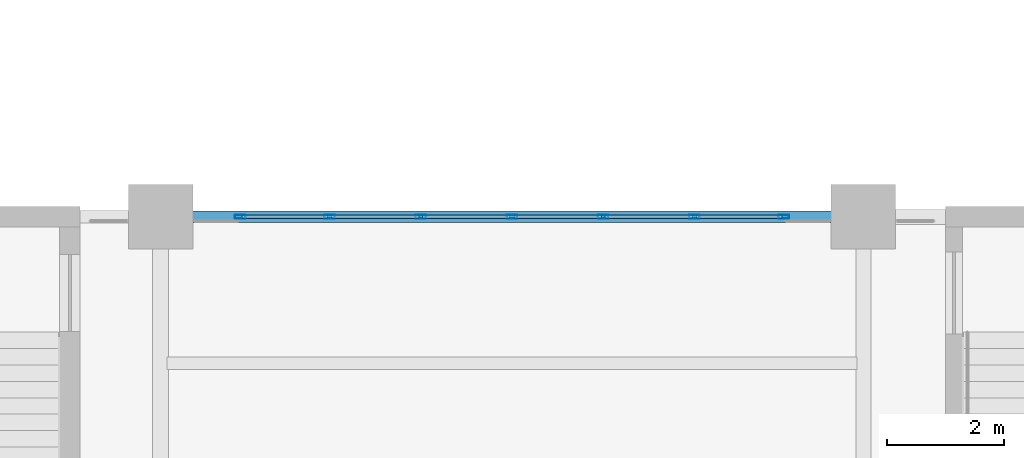
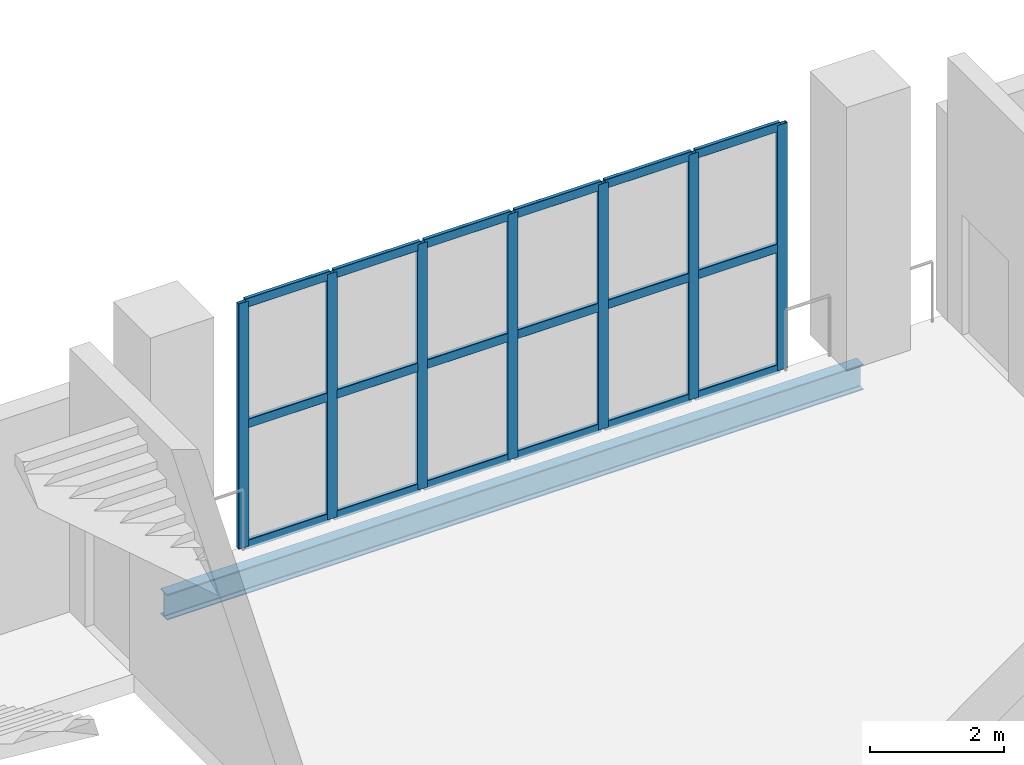
# One storey, part 88 of 136: 25 members, 1 beam, 1 element without a shape of its own.
"""IFC4 building model written with IfcOpenShell, lengths in metres."""

from ifc_helpers import new_model, si_unit, direction, frame, origin, origin_2d, place, context, subcontext, project, spatial, hollow_rectangle, i_section, extrude, material, layer, layer_set, material_profile, profile_set, type_object, element, aggregate, save


model = new_model("IFC4")

# Units and contexts
model_context = context("Model", 3, precision=1e-05, world=origin(), true_north=direction((0.0, 1.0)))
body_context = subcontext(model_context, "Body", "Model", "MODEL_VIEW")
ifc_project = project(units=[si_unit("LENGTHUNIT", "METRE"), si_unit("AREAUNIT", "SQUARE_METRE"), si_unit("VOLUMEUNIT", "CUBIC_METRE"), si_unit("PLANEANGLEUNIT", "RADIAN"), si_unit("MASSUNIT", "GRAM", prefix="KILO")], contexts=[model_context])

# Site, building, storey
site_placement = place(None, origin())
site = spatial("IfcSite", under=ifc_project, at=site_placement, CompositionType="ELEMENT")
building_placement = place(site_placement, origin())
building = spatial("IfcBuilding", under=site, at=building_placement, Name="Brinegate Civic Arena", CompositionType="ELEMENT")
storey_placement = place(building_placement, frame((0.0, 0.0, 5.39990234375)))
storey = spatial("IfcBuildingStorey", under=building, at=storey_placement, Name="L01", CompositionType="ELEMENT", Elevation=5.39990234375)

# Curtain wall, members
ifc_material_1 = material(Name="Marine grade aluminium", Category="aluminium")
ifc_layer = layer(ifc_material_1, 0.199951171875, Name="Marine grade aluminium")
ifc_layer_set = layer_set([ifc_layer], Name="Marine grade aluminium")
curtain_wall_type = type_object("IfcCurtainWallType", Name="CW-BOWL-GLAZED-01", PredefinedType="USERDEFINED", material=ifc_layer_set)
curtain_wall_placement = place(storey_placement, origin())
curtain_wall = element("IfcCurtainWall", 1, at=curtain_wall_placement, inside=storey, type_object=curtain_wall_type, Name="Curtain Wall CWA-072", ObjectType="GLAZED CURTAIN WALL", PredefinedType="USERDEFINED")
ifc_material_profile_1 = material_profile(ifc_material_1, hollow_rectangle(XDim=0.06494140625, YDim=0.179931640625, WallThickness=0.0048828125, InnerFilletRadius=0.00390625, OuterFilletRadius=0.008056640625, at=origin_2d()), Name="MUL65X180")
ifc_profile_set_1 = profile_set([ifc_material_profile_1], Name="Marine grade aluminium")
member_type_1 = type_object("IfcMemberType", Name="CW-MULLION-65X180", PredefinedType="MULLION", material=ifc_profile_set_1)
member_1_placement = place(storey_placement, frame((145.360595703125, 114.0, 0.0), z_axis=(0.0, 0.0, 1.0), x_axis=(0.0, 1.0, 0.0)))
member_1 = element("IfcMember", 2, at=member_1_placement, type_object=member_type_1, Name="CWA-072 mullion 1", PredefinedType="MULLION", context=body_context, shape_type="SweptSolid", body=[
    extrude(hollow_rectangle(XDim=0.06494140625, YDim=0.179931640625, WallThickness=0.0048828125, InnerFilletRadius=0.00390625, OuterFilletRadius=0.008056640625, at=origin_2d()), origin(), (0.0, 0.0, 1.0), 4.47021484375),
])
member_2_placement = place(storey_placement, frame((146.88525390625, 114.0, 0.0), z_axis=(0.0, 0.0, 1.0), x_axis=(0.0, 1.0, 0.0)))
member_2 = element("IfcMember", 3, at=member_2_placement, type_object=member_type_1, Name="CWA-072 mullion 2", PredefinedType="MULLION", context=body_context, shape_type="SweptSolid", body=[
    extrude(hollow_rectangle(XDim=0.06494140625, YDim=0.179931640625, WallThickness=0.0048828125, InnerFilletRadius=0.00390625, OuterFilletRadius=0.008056640625, at=origin_2d()), origin(), (0.0, 0.0, 1.0), 4.47021484375),
])
member_3_placement = place(storey_placement, frame((148.442626953125, 114.0, 0.0), z_axis=(0.0, 0.0, 1.0), x_axis=(0.0, 1.0, 0.0)))
member_3 = element("IfcMember", 4, at=member_3_placement, type_object=member_type_1, Name="CWA-072 mullion 3", PredefinedType="MULLION", context=body_context, shape_type="SweptSolid", body=[
    extrude(hollow_rectangle(XDim=0.06494140625, YDim=0.179931640625, WallThickness=0.0048828125, InnerFilletRadius=0.00390625, OuterFilletRadius=0.008056640625, at=origin_2d()), origin(), (0.0, 0.0, 1.0), 4.47021484375),
])
member_4_placement = place(storey_placement, frame((150.0, 114.0, 0.0), z_axis=(0.0, 0.0, 1.0), x_axis=(0.0, 1.0, 0.0)))
member_4 = element("IfcMember", 5, at=member_4_placement, type_object=member_type_1, Name="CWA-072 mullion 4", PredefinedType="MULLION", context=body_context, shape_type="SweptSolid", body=[
    extrude(hollow_rectangle(XDim=0.06494140625, YDim=0.179931640625, WallThickness=0.0048828125, InnerFilletRadius=0.00390625, OuterFilletRadius=0.008056640625, at=origin_2d()), origin(), (0.0, 0.0, 1.0), 4.47021484375),
])
member_5_placement = place(storey_placement, frame((151.557373046875, 114.0, 0.0), z_axis=(0.0, 0.0, 1.0), x_axis=(0.0, 1.0, 0.0)))
member_5 = element("IfcMember", 6, at=member_5_placement, type_object=member_type_1, Name="CWA-072 mullion 5", PredefinedType="MULLION", context=body_context, shape_type="SweptSolid", body=[
    extrude(hollow_rectangle(XDim=0.06494140625, YDim=0.179931640625, WallThickness=0.0048828125, InnerFilletRadius=0.00390625, OuterFilletRadius=0.008056640625, at=origin_2d()), origin(), (0.0, 0.0, 1.0), 4.47021484375),
])
member_6_placement = place(storey_placement, frame((153.11474609375, 114.0, 0.0), z_axis=(0.0, 0.0, 1.0), x_axis=(0.0, 1.0, 0.0)))
member_6 = element("IfcMember", 7, at=member_6_placement, type_object=member_type_1, Name="CWA-072 mullion 6", PredefinedType="MULLION", context=body_context, shape_type="SweptSolid", body=[
    extrude(hollow_rectangle(XDim=0.06494140625, YDim=0.179931640625, WallThickness=0.0048828125, InnerFilletRadius=0.00390625, OuterFilletRadius=0.008056640625, at=origin_2d()), origin(), (0.0, 0.0, 1.0), 4.47021484375),
])
member_7_placement = place(storey_placement, frame((154.639404296875, 114.0, 0.0), z_axis=(0.0, 0.0, 1.0), x_axis=(0.0, 1.0, 0.0)))
member_7 = element("IfcMember", 8, at=member_7_placement, type_object=member_type_1, Name="CWA-072 mullion 7", PredefinedType="MULLION", context=body_context, shape_type="SweptSolid", body=[
    extrude(hollow_rectangle(XDim=0.06494140625, YDim=0.179931640625, WallThickness=0.0048828125, InnerFilletRadius=0.00390625, OuterFilletRadius=0.008056640625, at=origin_2d()), origin(), (0.0, 0.0, 1.0), 4.47021484375),
])
ifc_material_profile_2 = material_profile(ifc_material_1, hollow_rectangle(XDim=0.06494140625, YDim=0.1650390625, WallThickness=0.0048828125, InnerFilletRadius=0.00390625, OuterFilletRadius=0.008056640625, at=origin_2d()), Name="TRN65X165")
ifc_profile_set_2 = profile_set([ifc_material_profile_2], Name="Marine grade aluminium")
member_type_2 = type_object("IfcMemberType", Name="CW-TRANSOM-65X165", PredefinedType="USERDEFINED", material=ifc_profile_set_2)
member_8_placement = place(storey_placement, frame((145.39306640625, 114.0, 0.03271484375), z_axis=(1.0, 0.0, 0.0), x_axis=(0.0, 1.0, 0.0)))
member_8 = element("IfcMember", 9, at=member_8_placement, type_object=member_type_2, Name="CWA-072 transom 1.1", ObjectType="TRANSOM", PredefinedType="USERDEFINED", context=body_context, shape_type="SweptSolid", body=[
    extrude(hollow_rectangle(XDim=0.06494140625, YDim=0.1650390625, WallThickness=0.0048828125, InnerFilletRadius=0.00390625, OuterFilletRadius=0.008056640625, at=origin_2d()), origin(), (0.0, 0.0, 1.0), 1.459716796875),
])
member_9_placement = place(storey_placement, frame((145.39306640625, 114.0, 2.235107421875), z_axis=(1.0, 0.0, 0.0), x_axis=(0.0, 1.0, 0.0)))
member_9 = element("IfcMember", 10, at=member_9_placement, type_object=member_type_2, Name="CWA-072 transom 1.2", ObjectType="TRANSOM", PredefinedType="USERDEFINED", context=body_context, shape_type="SweptSolid", body=[
    extrude(hollow_rectangle(XDim=0.06494140625, YDim=0.1650390625, WallThickness=0.0048828125, InnerFilletRadius=0.00390625, OuterFilletRadius=0.008056640625, at=origin_2d()), origin(), (0.0, 0.0, 1.0), 1.459716796875),
])
member_10_placement = place(storey_placement, frame((145.39306640625, 114.0, 4.4375), z_axis=(1.0, 0.0, 0.0), x_axis=(0.0, 1.0, 0.0)))
member_10 = element("IfcMember", 11, at=member_10_placement, type_object=member_type_2, Name="CWA-072 transom 1.3", ObjectType="TRANSOM", PredefinedType="USERDEFINED", context=body_context, shape_type="SweptSolid", body=[
    extrude(hollow_rectangle(XDim=0.06494140625, YDim=0.1650390625, WallThickness=0.0048828125, InnerFilletRadius=0.00390625, OuterFilletRadius=0.008056640625, at=origin_2d()), origin(), (0.0, 0.0, 1.0), 1.459716796875),
])
member_11_placement = place(storey_placement, frame((146.917724609375, 114.0, 0.03271484375), z_axis=(1.0, 0.0, 0.0), x_axis=(0.0, 1.0, 0.0)))
member_11 = element("IfcMember", 12, at=member_11_placement, type_object=member_type_2, Name="CWA-072 transom 2.1", ObjectType="TRANSOM", PredefinedType="USERDEFINED", context=body_context, shape_type="SweptSolid", body=[
    extrude(hollow_rectangle(XDim=0.06494140625, YDim=0.1650390625, WallThickness=0.0048828125, InnerFilletRadius=0.00390625, OuterFilletRadius=0.008056640625, at=origin_2d()), origin(), (0.0, 0.0, 1.0), 1.492431640625),
])
member_12_placement = place(storey_placement, frame((146.917724609375, 114.0, 2.235107421875), z_axis=(1.0, 0.0, 0.0), x_axis=(0.0, 1.0, 0.0)))
member_12 = element("IfcMember", 13, at=member_12_placement, type_object=member_type_2, Name="CWA-072 transom 2.2", ObjectType="TRANSOM", PredefinedType="USERDEFINED", context=body_context, shape_type="SweptSolid", body=[
    extrude(hollow_rectangle(XDim=0.06494140625, YDim=0.1650390625, WallThickness=0.0048828125, InnerFilletRadius=0.00390625, OuterFilletRadius=0.008056640625, at=origin_2d()), origin(), (0.0, 0.0, 1.0), 1.492431640625),
])
member_13_placement = place(storey_placement, frame((146.917724609375, 114.0, 4.4375), z_axis=(1.0, 0.0, 0.0), x_axis=(0.0, 1.0, 0.0)))
member_13 = element("IfcMember", 14, at=member_13_placement, type_object=member_type_2, Name="CWA-072 transom 2.3", ObjectType="TRANSOM", PredefinedType="USERDEFINED", context=body_context, shape_type="SweptSolid", body=[
    extrude(hollow_rectangle(XDim=0.06494140625, YDim=0.1650390625, WallThickness=0.0048828125, InnerFilletRadius=0.00390625, OuterFilletRadius=0.008056640625, at=origin_2d()), origin(), (0.0, 0.0, 1.0), 1.492431640625),
])
member_14_placement = place(storey_placement, frame((148.47509765625, 114.0, 0.03271484375), z_axis=(1.0, 0.0, 0.0), x_axis=(0.0, 1.0, 0.0)))
member_14 = element("IfcMember", 15, at=member_14_placement, type_object=member_type_2, Name="CWA-072 transom 3.1", ObjectType="TRANSOM", PredefinedType="USERDEFINED", context=body_context, shape_type="SweptSolid", body=[
    extrude(hollow_rectangle(XDim=0.06494140625, YDim=0.1650390625, WallThickness=0.0048828125, InnerFilletRadius=0.00390625, OuterFilletRadius=0.008056640625, at=origin_2d()), origin(), (0.0, 0.0, 1.0), 1.492431640625),
])
member_15_placement = place(storey_placement, frame((148.47509765625, 114.0, 2.235107421875), z_axis=(1.0, 0.0, 0.0), x_axis=(0.0, 1.0, 0.0)))
member_15 = element("IfcMember", 16, at=member_15_placement, type_object=member_type_2, Name="CWA-072 transom 3.2", ObjectType="TRANSOM", PredefinedType="USERDEFINED", context=body_context, shape_type="SweptSolid", body=[
    extrude(hollow_rectangle(XDim=0.06494140625, YDim=0.1650390625, WallThickness=0.0048828125, InnerFilletRadius=0.00390625, OuterFilletRadius=0.008056640625, at=origin_2d()), origin(), (0.0, 0.0, 1.0), 1.492431640625),
])
member_16_placement = place(storey_placement, frame((148.47509765625, 114.0, 4.4375), z_axis=(1.0, 0.0, 0.0), x_axis=(0.0, 1.0, 0.0)))
member_16 = element("IfcMember", 17, at=member_16_placement, type_object=member_type_2, Name="CWA-072 transom 3.3", ObjectType="TRANSOM", PredefinedType="USERDEFINED", context=body_context, shape_type="SweptSolid", body=[
    extrude(hollow_rectangle(XDim=0.06494140625, YDim=0.1650390625, WallThickness=0.0048828125, InnerFilletRadius=0.00390625, OuterFilletRadius=0.008056640625, at=origin_2d()), origin(), (0.0, 0.0, 1.0), 1.492431640625),
])
member_17_placement = place(storey_placement, frame((150.032470703125, 114.0, 0.03271484375), z_axis=(1.0, 0.0, 0.0), x_axis=(0.0, 1.0, 0.0)))
member_17 = element("IfcMember", 18, at=member_17_placement, type_object=member_type_2, Name="CWA-072 transom 4.1", ObjectType="TRANSOM", PredefinedType="USERDEFINED", context=body_context, shape_type="SweptSolid", body=[
    extrude(hollow_rectangle(XDim=0.06494140625, YDim=0.1650390625, WallThickness=0.0048828125, InnerFilletRadius=0.00390625, OuterFilletRadius=0.008056640625, at=origin_2d()), origin(), (0.0, 0.0, 1.0), 1.492431640625),
])
member_18_placement = place(storey_placement, frame((150.032470703125, 114.0, 2.235107421875), z_axis=(1.0, 0.0, 0.0), x_axis=(0.0, 1.0, 0.0)))
member_18 = element("IfcMember", 19, at=member_18_placement, type_object=member_type_2, Name="CWA-072 transom 4.2", ObjectType="TRANSOM", PredefinedType="USERDEFINED", context=body_context, shape_type="SweptSolid", body=[
    extrude(hollow_rectangle(XDim=0.06494140625, YDim=0.1650390625, WallThickness=0.0048828125, InnerFilletRadius=0.00390625, OuterFilletRadius=0.008056640625, at=origin_2d()), origin(), (0.0, 0.0, 1.0), 1.492431640625),
])
member_19_placement = place(storey_placement, frame((150.032470703125, 114.0, 4.4375), z_axis=(1.0, 0.0, 0.0), x_axis=(0.0, 1.0, 0.0)))
member_19 = element("IfcMember", 20, at=member_19_placement, type_object=member_type_2, Name="CWA-072 transom 4.3", ObjectType="TRANSOM", PredefinedType="USERDEFINED", context=body_context, shape_type="SweptSolid", body=[
    extrude(hollow_rectangle(XDim=0.06494140625, YDim=0.1650390625, WallThickness=0.0048828125, InnerFilletRadius=0.00390625, OuterFilletRadius=0.008056640625, at=origin_2d()), origin(), (0.0, 0.0, 1.0), 1.492431640625),
])
member_20_placement = place(storey_placement, frame((151.58984375, 114.0, 0.03271484375), z_axis=(1.0, 0.0, 0.0), x_axis=(0.0, 1.0, 0.0)))
member_20 = element("IfcMember", 21, at=member_20_placement, type_object=member_type_2, Name="CWA-072 transom 5.1", ObjectType="TRANSOM", PredefinedType="USERDEFINED", context=body_context, shape_type="SweptSolid", body=[
    extrude(hollow_rectangle(XDim=0.06494140625, YDim=0.1650390625, WallThickness=0.0048828125, InnerFilletRadius=0.00390625, OuterFilletRadius=0.008056640625, at=origin_2d()), origin(), (0.0, 0.0, 1.0), 1.492431640625),
])
member_21_placement = place(storey_placement, frame((151.58984375, 114.0, 2.235107421875), z_axis=(1.0, 0.0, 0.0), x_axis=(0.0, 1.0, 0.0)))
member_21 = element("IfcMember", 22, at=member_21_placement, type_object=member_type_2, Name="CWA-072 transom 5.2", ObjectType="TRANSOM", PredefinedType="USERDEFINED", context=body_context, shape_type="SweptSolid", body=[
    extrude(hollow_rectangle(XDim=0.06494140625, YDim=0.1650390625, WallThickness=0.0048828125, InnerFilletRadius=0.00390625, OuterFilletRadius=0.008056640625, at=origin_2d()), origin(), (0.0, 0.0, 1.0), 1.492431640625),
])
member_22_placement = place(storey_placement, frame((151.58984375, 114.0, 4.4375), z_axis=(1.0, 0.0, 0.0), x_axis=(0.0, 1.0, 0.0)))
member_22 = element("IfcMember", 23, at=member_22_placement, type_object=member_type_2, Name="CWA-072 transom 5.3", ObjectType="TRANSOM", PredefinedType="USERDEFINED", context=body_context, shape_type="SweptSolid", body=[
    extrude(hollow_rectangle(XDim=0.06494140625, YDim=0.1650390625, WallThickness=0.0048828125, InnerFilletRadius=0.00390625, OuterFilletRadius=0.008056640625, at=origin_2d()), origin(), (0.0, 0.0, 1.0), 1.492431640625),
])
member_23_placement = place(storey_placement, frame((153.147216796875, 114.0, 0.03271484375), z_axis=(1.0, 0.0, 0.0), x_axis=(0.0, 1.0, 0.0)))
member_23 = element("IfcMember", 24, at=member_23_placement, type_object=member_type_2, Name="CWA-072 transom 6.1", ObjectType="TRANSOM", PredefinedType="USERDEFINED", context=body_context, shape_type="SweptSolid", body=[
    extrude(hollow_rectangle(XDim=0.06494140625, YDim=0.1650390625, WallThickness=0.0048828125, InnerFilletRadius=0.00390625, OuterFilletRadius=0.008056640625, at=origin_2d()), origin(), (0.0, 0.0, 1.0), 1.459716796875),
])
member_24_placement = place(storey_placement, frame((153.147216796875, 114.0, 2.235107421875), z_axis=(1.0, 0.0, 0.0), x_axis=(0.0, 1.0, 0.0)))
member_24 = element("IfcMember", 25, at=member_24_placement, type_object=member_type_2, Name="CWA-072 transom 6.2", ObjectType="TRANSOM", PredefinedType="USERDEFINED", context=body_context, shape_type="SweptSolid", body=[
    extrude(hollow_rectangle(XDim=0.06494140625, YDim=0.1650390625, WallThickness=0.0048828125, InnerFilletRadius=0.00390625, OuterFilletRadius=0.008056640625, at=origin_2d()), origin(), (0.0, 0.0, 1.0), 1.459716796875),
])
member_25_placement = place(storey_placement, frame((153.147216796875, 114.0, 4.4375), z_axis=(1.0, 0.0, 0.0), x_axis=(0.0, 1.0, 0.0)))
member_25 = element("IfcMember", 26, at=member_25_placement, type_object=member_type_2, Name="CWA-072 transom 6.3", ObjectType="TRANSOM", PredefinedType="USERDEFINED", context=body_context, shape_type="SweptSolid", body=[
    extrude(hollow_rectangle(XDim=0.06494140625, YDim=0.1650390625, WallThickness=0.0048828125, InnerFilletRadius=0.00390625, OuterFilletRadius=0.008056640625, at=origin_2d()), origin(), (0.0, 0.0, 1.0), 1.459716796875),
])
aggregate(curtain_wall, [member_1, member_2, member_3, member_4, member_5, member_6, member_7, member_8, member_9, member_10, member_11, member_12, member_13, member_14, member_15, member_16, member_17, member_18, member_19, member_20, member_21, member_22, member_23, member_24, member_25])

# Beam
ifc_material_2 = material(Name="Steel S355", Category="steel")
ifc_material_profile_3 = material_profile(ifc_material_2, i_section(OverallWidth=0.193115234375, OverallDepth=0.466064453125, WebThickness=0.010986328125, FlangeThickness=0.01904296875, FilletRadius=0.014892578125, at=origin_2d()), Name="W460X97")
ifc_profile_set_3 = profile_set([ifc_material_profile_3], Name="Steel S355")
beam_type = type_object("IfcBeamType", Name="SPANDREL-W460X97", PredefinedType="SPANDREL", material=ifc_profile_set_3)
beam_placement = place(storey_placement, frame((144.0, 114.0, -0.572998046875), z_axis=(1.0, 0.0, 0.0), x_axis=(0.0, 1.0, 0.0)))
element("IfcBeam", 27, at=beam_placement, inside=storey, type_object=beam_type, Name="Floor Girder BM-L01-GX-12-11", PredefinedType="SPANDREL", context=body_context, shape_type="SweptSolid", body=[
    extrude(i_section(OverallWidth=0.193115234375, OverallDepth=0.466064453125, WebThickness=0.010986328125, FlangeThickness=0.01904296875, FilletRadius=0.014892578125, at=origin_2d()), origin(), (0.0, 0.0, 1.0), 12.0),
])

save(model, "model.ifc")
